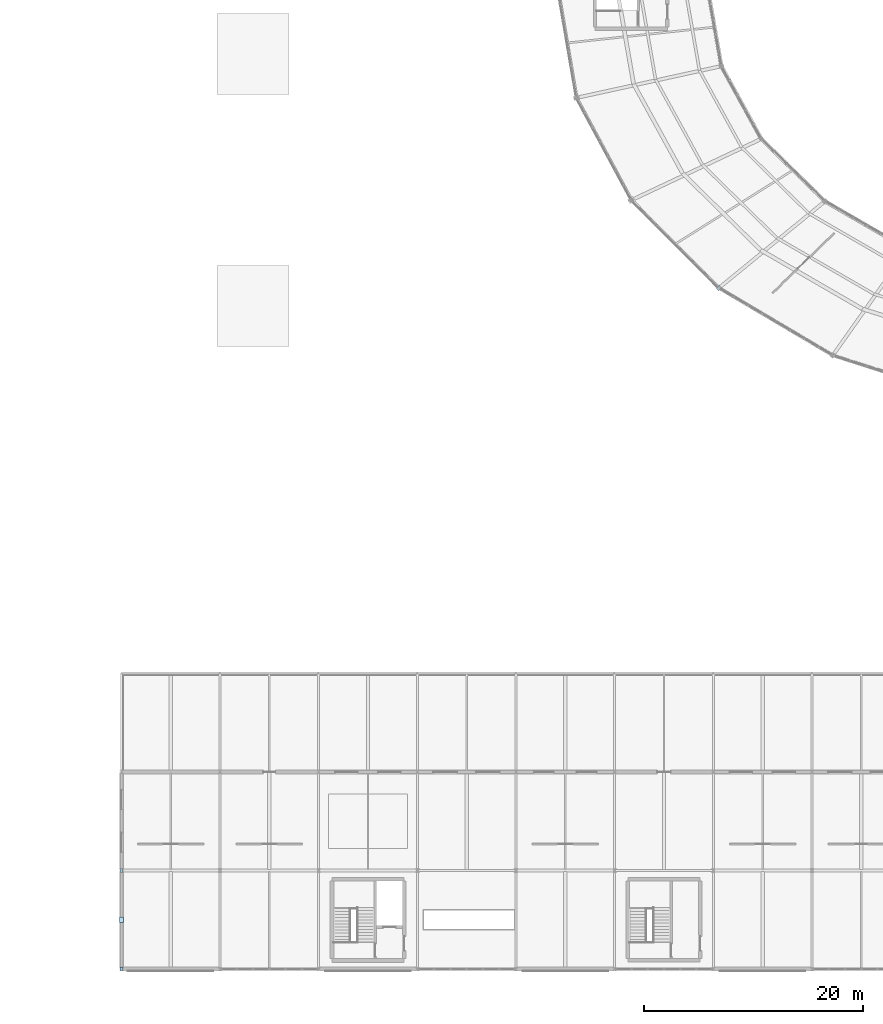
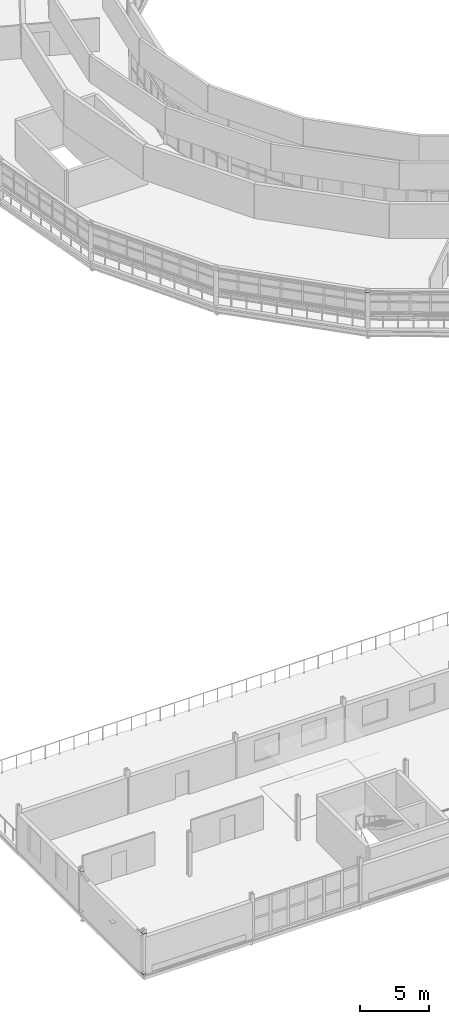
# One storey, part 93 of 123: 6 plates.
"""IFC4 building model written with IfcOpenShell, lengths in metres."""

from ifc_helpers import new_model, si_unit, direction, frame, origin, origin_2d, place, context, subcontext, project, spatial, rectangle, extrude, material, layer, layer_set, type_object, element, save


model = new_model("IFC4")

# Units and contexts
model_context = context("Model", 3, precision=1e-05, world=origin(), true_north=direction((0.0, 1.0)))
body_context = subcontext(model_context, "Body", "Model", "MODEL_VIEW")
ifc_project = project(units=[si_unit("LENGTHUNIT", "METRE"), si_unit("AREAUNIT", "SQUARE_METRE"), si_unit("VOLUMEUNIT", "CUBIC_METRE"), si_unit("PLANEANGLEUNIT", "RADIAN"), si_unit("MASSUNIT", "GRAM", prefix="KILO")], contexts=[model_context])

# Site, building, storey
site_placement = place(None, origin())
site = spatial("IfcSite", under=ifc_project, at=site_placement, CompositionType="ELEMENT")
building_placement = place(site_placement, origin())
building = spatial("IfcBuilding", under=site, at=building_placement, Name="Kildeholm Park Wholesale Market", CompositionType="ELEMENT")
storey_placement = place(building_placement, frame((0.0, 0.0, 9.60009765625)))
storey = spatial("IfcBuildingStorey", under=building, at=storey_placement, Name="L02", CompositionType="ELEMENT", Elevation=9.60009765625)

# Plates
ifc_material = material(Name="Steel S355", Category="steel")
ifc_layer_1 = layer(ifc_material, 0.02490234375)
ifc_layer_set_1 = layer_set([ifc_layer_1], Name="Steel S355")
plate_type_1 = type_object("IfcPlateType", Name="Steel connection plate BP-04 400x280x25", PredefinedType="SHEET", material=ifc_layer_set_1)
plate_1_placement = place(storey_placement, frame((63.5029296875, 62.135009765625, 3.20751953125), z_axis=(0.0, 0.0, 1.0), x_axis=(-0.707106781187, -0.707106781187, 0.0)))
element("IfcPlate", 1, at=plate_1_placement, inside=storey, type_object=plate_type_1, Name="Arch springing bearing plate MD-16 PLT-0082", PredefinedType="SHEET", context=body_context, shape_type="SweptSolid", body=[
    extrude(rectangle(XDim=0.39990234375, YDim=0.280029296875, at=origin_2d()), origin(), (0.0, 0.0, 1.0), 0.02490234375),
])
ifc_layer_2 = layer(ifc_material, 0.02001953125)
ifc_layer_set_2 = layer_set([ifc_layer_2], Name="Steel S355")
plate_type_2 = type_object("IfcPlateType", Name="Steel connection plate EP-01 360x260x20", PredefinedType="SHEET", material=ifc_layer_set_2)
for number, where, z_axis, x_axis, name in (
    (2, (9.0, 0.0, 0.010009765625), (0.0, 0.0, 1.0), (0.0, 1.0, 0.0), "Brace end connection plate BR-V5W-L02-1 PLT-0153"),
    (3, (9.0, 9.0, 3.56982421875), (0.0, 0.0, 1.0), (0.0, 1.0, 0.0), "Brace end connection plate BR-V5W-L02-2 PLT-0154"),
    (4, (9.0, 9.0, 0.010009765625), (0.0, 0.0, 1.0), (0.0, 1.0, 0.0), "Brace end connection plate BR-V5W-L02-3 PLT-0155"),
    (5, (9.0, 0.0, 3.56982421875), (0.0, 0.0, 1.0), (0.0, 1.0, 0.0), "Brace end connection plate BR-V5W-L02-4 PLT-0156"),
):
    element("IfcPlate", number, at=place(storey_placement, frame(where, z_axis=z_axis, x_axis=x_axis)), inside=storey, type_object=plate_type_2, Name=name, PredefinedType="SHEET", context=body_context, shape_type="SweptSolid", body=[
        extrude(rectangle(XDim=0.360107421875, YDim=0.260009765625, at=origin_2d()), origin(), (0.0, 0.0, 1.0), 0.02001953125),
    ])
ifc_layer_3 = layer(ifc_material, 0.02587890625)
ifc_layer_set_3 = layer_set([ifc_layer_3], Name="Steel S355")
plate_type_3 = type_object("IfcPlateType", Name="Steel connection plate GP-02 480x340x26", PredefinedType="SHEET", material=ifc_layer_set_3)
plate_2_placement = place(storey_placement, frame((9.0, 4.5, 1.786865234375), z_axis=(0.0, 0.0, 1.0), x_axis=(0.0, 1.0, 0.0)))
element("IfcPlate", 6, at=plate_2_placement, inside=storey, type_object=plate_type_3, Name="X-brace crossing gusset plate BR-V5W-L02 PLT-0152", PredefinedType="SHEET", context=body_context, shape_type="SweptSolid", body=[
    extrude(rectangle(XDim=0.47998046875, YDim=0.340087890625, at=origin_2d()), origin(), (0.0, 0.0, 1.0), 0.02587890625),
])

save(model, "model.ifc")
